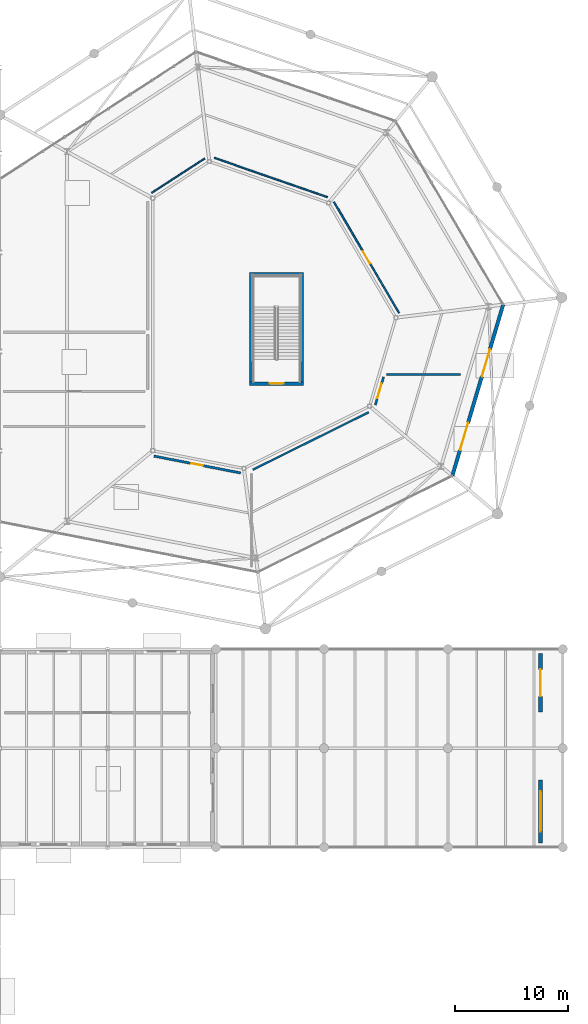
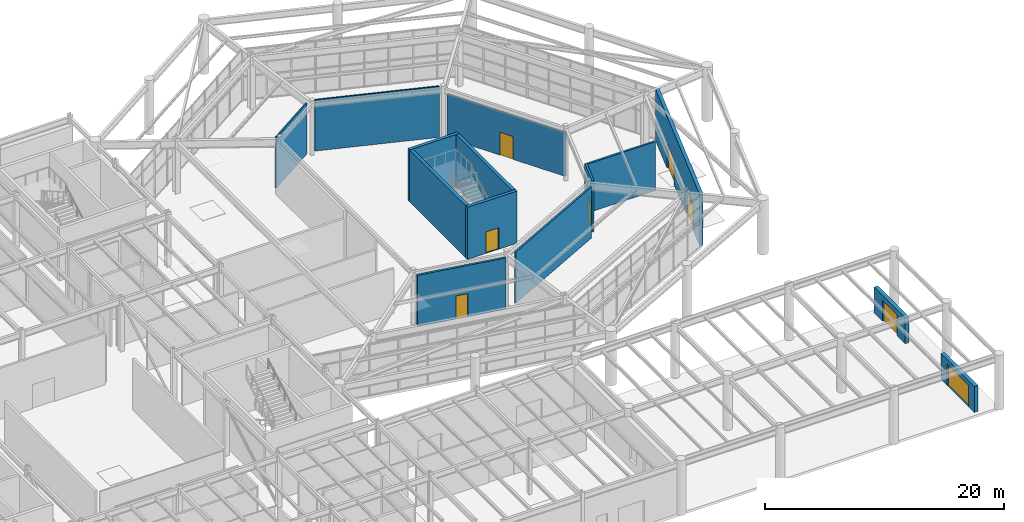
# One storey, part 53 of 70: 14 walls, 8 doors, 8 openings.
"""IFC4 building model written with IfcOpenShell, lengths in metres."""

from ifc_helpers import new_model, si_unit, direction, frame, frame_2d, origin, place, context, subcontext, project, spatial, rectangle, extrude, material, layer, layer_set, type_object, element, fill, save


model = new_model("IFC4")

# Units and contexts
model_context = context("Model", 3, precision=1e-05, world=origin(), true_north=direction((0.0, 1.0)))
body_context = subcontext(model_context, "Body", "Model", "MODEL_VIEW")
ifc_project = project(units=[si_unit("LENGTHUNIT", "METRE"), si_unit("AREAUNIT", "SQUARE_METRE"), si_unit("VOLUMEUNIT", "CUBIC_METRE"), si_unit("PLANEANGLEUNIT", "RADIAN"), si_unit("MASSUNIT", "GRAM", prefix="KILO")], contexts=[model_context])

# Site, building, storey
site_placement = place(None, origin())
site = spatial("IfcSite", under=ifc_project, at=site_placement, CompositionType="ELEMENT")
building_placement = place(site_placement, origin())
building = spatial("IfcBuilding", under=site, at=building_placement, Name="Sarnbrook Museum", CompositionType="ELEMENT")
storey_placement = place(building_placement, origin())
storey = spatial("IfcBuildingStorey", under=building, at=storey_placement, Name="L00", CompositionType="ELEMENT", Elevation=0.0)

# Wall, opening, door
ifc_material_1 = material(Name="Concrete N50 (AS 3600, f'c = 50 MPa)", Category="concrete")
ifc_layer_1 = layer(ifc_material_1, 0.300048828125)
ifc_layer_set_1 = layer_set([ifc_layer_1], Name="Concrete N50 (AS 3600, f'c = 50 MPa)")
wall_type_1 = type_object("IfcWallType", Name="CoreWall_CWRC", PredefinedType="SHEAR", material=ifc_layer_set_1)
wall_1_placement = place(storey_placement, frame((141.39990234375, 80.35009765625, 0.0), z_axis=(0.0, 0.0, 1.0), x_axis=(1.0, 0.0, 0.0)))
wall_1 = element("IfcWall", 1, at=wall_1_placement, inside=storey, type_object=wall_type_1, Name="Core C7 Shear Wall S L00", PredefinedType="SHEAR", context=body_context, shape_type="SweptSolid", body=[
    extrude(rectangle(XDim=4.800048828125, YDim=0.300048828125, at=frame_2d((2.39990234375, 0.0))), origin(), (0.0, 0.0, 1.0), 5.3349609375),
])
opening_1_placement = place(wall_1_placement, frame((1.77490234375, 0.0, 0.0)))
opening_1 = element("IfcOpeningElement", 2, at=opening_1_placement, cuts=wall_1, Name="Opening D-ST-ST7-L00", PredefinedType="OPENING", context=body_context, shape_type="SweptSolid", body=[
    extrude(rectangle(XDim=1.25, YDim=2.199951171875, at=frame_2d((0.625, 1.10009765625))), frame((0.0, 0.16015625, 0.0), z_axis=(0.0, -1.0, 0.0), x_axis=(1.0, 0.0, 0.0)), (0.0, 0.0, 1.0), 0.320068359375),
])
ifc_material_2 = material(Name="Tasmanian Oak Acoustic Timber", Category="wood")
door_type_1 = type_object("IfcDoorType", Name="FireDoor_FD120", OperationType="NOTDEFINED", PredefinedType="DOOR", material=ifc_material_2)
door_1_placement = place(opening_1_placement, frame((1.25, 0.0, 0.0), z_axis=(0.0, 0.0, 1.0), x_axis=(-1.0, 0.0, 0.0)))
door_1 = element("IfcDoor", 3, at=door_1_placement, inside=storey, type_object=door_type_1, Name="Exit Stair ST7 Fire Door L00", OperationType="SINGLE_SWING_LEFT", OverallHeight=2.199951171875, OverallWidth=1.25, PredefinedType="DOOR", context=body_context, shape_type="SweptSolid", body=[
    extrude(rectangle(XDim=1.25, YDim=2.199951171875, at=frame_2d((0.625, 1.10009765625))), frame((0.0, 0.02490234375, 0.0), z_axis=(0.0, -1.0, 0.0), x_axis=(1.0, 0.0, 0.0)), (0.0, 0.0, 1.0), 0.050048828125),
])
fill(opening_1, door_1)

# Walls
wall_2_placement = place(storey_placement, frame((146.199951171875, 90.050048828125, 0.0), z_axis=(0.0, 0.0, 1.0), x_axis=(-1.0, 0.0, 0.0)))
element("IfcWall", 4, at=wall_2_placement, inside=storey, type_object=wall_type_1, Name="Core C7 Shear Wall N L00", PredefinedType="SHEAR", context=body_context, shape_type="SweptSolid", body=[
    extrude(rectangle(XDim=4.800048828125, YDim=0.300048828125, at=frame_2d((2.39990234375, 0.0))), origin(), (0.0, 0.0, 1.0), 5.3349609375),
])
for number, where, z_axis, x_axis, name in (
    (5, (146.050048828125, 80.510009765625, 0.0), (0.0, 0.0, 1.0), (0.0, 1.0, 0.0), "Core C7 Shear Wall E L00"),
    (6, (141.550048828125, 89.889892578125, 0.0), (0.0, 0.0, 1.0), (0.0, -1.0, 0.0), "Core C7 Shear Wall W L00"),
):
    element("IfcWall", number, at=place(storey_placement, frame(where, z_axis=z_axis, x_axis=x_axis)), inside=storey, type_object=wall_type_1, Name=name, PredefinedType="SHEAR", context=body_context, shape_type="SweptSolid", body=[
        extrude(rectangle(XDim=9.3798828125, YDim=0.300048828125, at=frame_2d((4.68994140625, 0.0))), origin(), (0.0, 0.0, 1.0), 5.3349609375),
    ])
ifc_material_3 = material(Name="Fire-Rated Acoustic Gypsum Plasterboard")
ifc_layer_2 = layer(ifc_material_3, 0.1201171875)
ifc_layer_set_2 = layer_set([ifc_layer_2], Name="Fire-Rated Acoustic Gypsum Plasterboard")
wall_type_2 = type_object("IfcWallType", Name="PartWall_P120", PredefinedType="PARTITIONING", material=ifc_layer_set_2)
wall_3_placement = place(storey_placement, frame((137.409423828125, 100.339111328125, 0.0), z_axis=(0.0, 0.0, 1.0), x_axis=(-0.838914477988, -0.544263262238, 0.0)))
element("IfcWall", 7, at=wall_3_placement, inside=storey, type_object=wall_type_2, Name="Interior Partition Wall L00-0188", PredefinedType="PARTITIONING", context=body_context, shape_type="SweptSolid", body=[
    extrude(rectangle(XDim=5.599609375, YDim=0.1201171875, at=frame_2d((2.7998046875, 0.0))), origin(), (0.0, 0.0, 1.0), 5.22998046875),
])
ifc_layer_3 = layer(ifc_material_3, 0.135009765625)
ifc_layer_set_3 = layer_set([ifc_layer_3], Name="Fire-Rated Acoustic Gypsum Plasterboard")
wall_type_3 = type_object("IfcWallType", Name="PartWall_P135", PredefinedType="PARTITIONING", material=ifc_layer_set_3)
wall_4_placement = place(storey_placement, frame((148.309326171875, 96.90576171875, 0.0), z_axis=(0.0, 0.0, 1.0), x_axis=(-0.944672280914, 0.328015672907, 0.0)))
element("IfcWall", 8, at=wall_4_placement, inside=storey, type_object=wall_type_3, Name="Interior Partition Wall L00-0187", PredefinedType="PARTITIONING", context=body_context, shape_type="SweptSolid", body=[
    extrude(rectangle(XDim=10.6337890625, YDim=0.135009765625, at=frame_2d((5.31689453125, 0.0))), origin(), (0.0, 0.0, 1.0), 5.22998046875),
])

# Wall, opening, door
ifc_layer_4 = layer(ifc_material_3, 0.14990234375)
ifc_layer_set_4 = layer_set([ifc_layer_4], Name="Fire-Rated Acoustic Gypsum Plasterboard")
wall_type_4 = type_object("IfcWallType", Name="PartWall_P150", PredefinedType="PARTITIONING", material=ifc_layer_set_4)
wall_5_placement = place(storey_placement, frame((154.657958984375, 86.62890625, 0.0), z_axis=(0.0, 0.0, 1.0), x_axis=(-0.506044714384, 0.862507244633, 0.0)))
wall_5 = element("IfcWall", 9, at=wall_5_placement, inside=storey, type_object=wall_type_4, Name="Interior Partition Wall L00-0186", PredefinedType="PARTITIONING", context=body_context, shape_type="SweptSolid", body=[
    extrude(rectangle(XDim=11.42333984375, YDim=0.14990234375, at=frame_2d((5.711669921875, 0.0))), origin(), (0.0, 0.0, 1.0), 4.510009765625),
])
opening_2_placement = place(wall_5_placement, frame((5.081787109375, 0.0, 0.0)))
opening_2 = element("IfcOpeningElement", 10, at=opening_2_placement, cuts=wall_5, Name="Opening D-L00-061", PredefinedType="OPENING", context=body_context, shape_type="SweptSolid", body=[
    extrude(rectangle(XDim=1.260009765625, YDim=2.340087890625, at=frame_2d((0.6298828125, 1.169921875))), frame((0.0, 0.0849609375, 0.0), z_axis=(0.0, -1.0, 0.0), x_axis=(1.0, 0.0, 0.0)), (0.0, 0.0, 1.0), 0.169921875),
])
door_type_2 = type_object("IfcDoorType", Name="IntDoor_DT23", OperationType="NOTDEFINED", PredefinedType="DOOR", material=ifc_material_2)
door_2_placement = place(opening_2_placement, origin())
door_2 = element("IfcDoor", 11, at=door_2_placement, inside=storey, type_object=door_type_2, Name="Grand North-Light Atrium Foyer L00-3 Door D-L00-061", OperationType="SINGLE_SWING_LEFT", OverallHeight=2.340087890625, OverallWidth=1.260009765625, PredefinedType="DOOR", context=body_context, shape_type="SweptSolid", body=[
    extrude(rectangle(XDim=1.260009765625, YDim=2.340087890625, at=frame_2d((0.6298828125, 1.169921875))), frame((0.0, 0.02490234375, 0.0), z_axis=(0.0, -1.0, 0.0), x_axis=(1.0, 0.0, 0.0)), (0.0, 0.0, 1.0), 0.050048828125),
])
fill(opening_2, door_2)

# Walls
ifc_layer_5 = layer(ifc_material_3, 0.1650390625)
ifc_layer_set_5 = layer_set([ifc_layer_5], Name="Fire-Rated Acoustic Gypsum Plasterboard")
wall_type_5 = type_object("IfcWallType", Name="PartWall_P165", PredefinedType="PARTITIONING", material=ifc_layer_set_5)
wall_6_placement = place(storey_placement, frame((141.691650390625, 72.724853515625, 0.0), z_axis=(0.0, 0.0, 1.0), x_axis=(0.896166209214, 0.443718520532, 0.0)))
element("IfcWall", 12, at=wall_6_placement, inside=storey, type_object=wall_type_5, Name="Interior Partition Wall L00-0192", PredefinedType="PARTITIONING", context=body_context, shape_type="SweptSolid", body=[
    extrude(rectangle(XDim=11.467041015625, YDim=0.1650390625, at=frame_2d((5.7333984375, 0.0))), origin(), (0.0, 0.0, 1.0), 5.22998046875),
])
ifc_layer_6 = layer(ifc_material_3, 0.179931640625)
ifc_layer_set_6 = layer_set([ifc_layer_6], Name="Fire-Rated Acoustic Gypsum Plasterboard")
wall_type_6 = type_object("IfcWallType", Name="PartWall_P180", PredefinedType="PARTITIONING", material=ifc_layer_set_6)
wall_7_placement = place(storey_placement, frame((153.55126953125, 81.14990234375, 0.0), z_axis=(0.0, 0.0, 1.0), x_axis=(1.0, 0.0, 0.0)))
element("IfcWall", 13, at=wall_7_placement, inside=storey, type_object=wall_type_6, Name="Interior Partition Wall L00-0191", PredefinedType="PARTITIONING", context=body_context, shape_type="SweptSolid", body=[
    extrude(rectangle(XDim=6.563232421875, YDim=0.179931640625, at=frame_2d((3.28173828125, 0.0))), origin(), (0.0, 0.0, 1.0), 5.006103515625),
])

# Wall, opening, door
ifc_layer_7 = layer(ifc_material_3, 0.195068359375)
ifc_layer_set_7 = layer_set([ifc_layer_7], Name="Fire-Rated Acoustic Gypsum Plasterboard")
wall_type_7 = type_object("IfcWallType", Name="PartWall_P195", PredefinedType="PARTITIONING", material=ifc_layer_set_7)
wall_8_placement = place(storey_placement, frame((152.54931640625, 78.45556640625, 0.0), z_axis=(0.0, 0.0, 1.0), x_axis=(0.284521683071, 0.958669605163, 0.0)))
wall_8 = element("IfcWall", 14, at=wall_8_placement, inside=storey, type_object=wall_type_7, Name="Interior Partition Wall L00-0190", PredefinedType="PARTITIONING", context=body_context, shape_type="SweptSolid", body=[
    extrude(rectangle(XDim=2.608642578125, YDim=0.195068359375, at=frame_2d((1.30419921875, 0.0))), origin(), (0.0, 0.0, 1.0), 5.22998046875),
])
opening_3_placement = place(wall_8_placement, frame((0.6142578125, 0.0, 0.0)))
opening_3 = element("IfcOpeningElement", 15, at=opening_3_placement, cuts=wall_8, Name="Opening D-L00-062", PredefinedType="OPENING", context=body_context, shape_type="SweptSolid", body=[
    extrude(rectangle(XDim=1.3798828125, YDim=2.340087890625, at=frame_2d((0.68994140625, 1.169921875))), frame((0.0, 0.107421875, 0.0), z_axis=(0.0, -1.0, 0.0), x_axis=(1.0, 0.0, 0.0)), (0.0, 0.0, 1.0), 0.215087890625),
])
door_type_3 = type_object("IfcDoorType", Name="IntDoor_DT24", OperationType="NOTDEFINED", PredefinedType="DOOR", material=ifc_material_2)
door_3_placement = place(opening_3_placement, origin())
door_3 = element("IfcDoor", 16, at=door_3_placement, inside=storey, type_object=door_type_3, Name="Main Raked Lecture Auditorium L00-4 Door D-L00-062", OperationType="SINGLE_SWING_RIGHT", OverallHeight=2.340087890625, OverallWidth=1.3798828125, PredefinedType="DOOR", context=body_context, shape_type="SweptSolid", body=[
    extrude(rectangle(XDim=1.3798828125, YDim=2.340087890625, at=frame_2d((0.68994140625, 1.169921875))), frame((0.0, 0.02490234375, 0.0), z_axis=(0.0, -1.0, 0.0), x_axis=(1.0, 0.0, 0.0)), (0.0, 0.0, 1.0), 0.050048828125),
])
fill(opening_3, door_3)

ifc_layer_8 = layer(ifc_material_3, 0.2099609375)
ifc_layer_set_8 = layer_set([ifc_layer_8], Name="Fire-Rated Acoustic Gypsum Plasterboard")
wall_type_8 = type_object("IfcWallType", Name="PartWall_P210", PredefinedType="PARTITIONING", material=ifc_layer_set_8)
wall_9_placement = place(storey_placement, frame((132.902099609375, 73.9267578125, 0.0), z_axis=(0.0, 0.0, 1.0), x_axis=(0.98152920164, -0.191312378918, 0.0)))
wall_9 = element("IfcWall", 17, at=wall_9_placement, inside=storey, type_object=wall_type_8, Name="Interior Partition Wall L00-0182", PredefinedType="PARTITIONING", context=body_context, shape_type="SweptSolid", body=[
    extrude(rectangle(XDim=7.85205078125, YDim=0.2099609375, at=frame_2d((3.926025390625, 0.0))), origin(), (0.0, 0.0, 1.0), 5.22998046875),
])
opening_4_placement = place(wall_9_placement, frame((3.401123046875, 0.0, 0.0)))
opening_4 = element("IfcOpeningElement", 18, at=opening_4_placement, cuts=wall_9, Name="Opening D-L00-059", PredefinedType="OPENING", context=body_context, shape_type="SweptSolid", body=[
    extrude(rectangle(XDim=1.050048828125, YDim=2.340087890625, at=frame_2d((0.52490234375, 1.169921875))), frame((0.0, 0.114990234375, 0.0), z_axis=(0.0, -1.0, 0.0), x_axis=(1.0, 0.0, 0.0)), (0.0, 0.0, 1.0), 0.22998046875),
])
door_type_4 = type_object("IfcDoorType", Name="IntDoor_DT21", OperationType="NOTDEFINED", PredefinedType="DOOR", material=ifc_material_2)
door_4_placement = place(opening_4_placement, frame((1.050048828125, 0.0, 0.0), z_axis=(0.0, 0.0, 1.0), x_axis=(-1.0, 0.0, 0.0)))
door_4 = element("IfcDoor", 19, at=door_4_placement, inside=storey, type_object=door_type_4, Name="Fossil Megafauna Exhibition Hall L00-1 Door D-L00-059", OperationType="SINGLE_SWING_LEFT", OverallHeight=2.340087890625, OverallWidth=1.050048828125, PredefinedType="DOOR", context=body_context, shape_type="SweptSolid", body=[
    extrude(rectangle(XDim=1.050048828125, YDim=2.340087890625, at=frame_2d((0.52490234375, 1.169921875))), frame((0.0, 0.02490234375, 0.0), z_axis=(0.0, -1.0, 0.0), x_axis=(1.0, 0.0, 0.0)), (0.0, 0.0, 1.0), 0.050048828125),
])
fill(opening_4, door_4)

# Wall, openings, doors
ifc_material_4 = material(Name="Victorian Bluestone Ashlar Masonry", Category="masonry")
ifc_layer_9 = layer(ifc_material_4, 0.320068359375)
ifc_layer_set_9 = layer_set([ifc_layer_9], Name="Victorian Bluestone Ashlar Masonry")
wall_type_9 = type_object("IfcWallType", Name="Wall_LimestoneSpandrel320", PredefinedType="STANDARD", material=ifc_layer_set_9)
wall_10_placement = place(storey_placement, frame((159.394287109375, 72.172607421875, 0.0), z_axis=(0.0, 0.0, 1.0), x_axis=(0.284596961448, 0.958647260224, 0.0)))
wall_10 = element("IfcWall", 20, at=wall_10_placement, inside=storey, type_object=wall_type_9, Name="Crystal Colonnade East Entrance Wall L00", PredefinedType="STANDARD", context=body_context, shape_type="SweptSolid", body=[
    extrude(rectangle(XDim=15.851318359375, YDim=0.320068359375, at=frame_2d((7.92578125, 0.0))), origin(), (0.0, 0.0, 1.0), 5.2900390625),
])
opening_5_placement = place(wall_10_placement, frame((2.39990234375, 0.0, 0.0)))
opening_5 = element("IfcOpeningElement", 21, at=opening_5_placement, cuts=wall_10, Name="Opening ED31", PredefinedType="OPENING", context=body_context, shape_type="SweptSolid", body=[
    extrude(rectangle(XDim=2.5, YDim=2.550048828125, at=frame_2d((1.25, 1.27490234375))), frame((0.0, 0.169921875, 0.0), z_axis=(0.0, -1.0, 0.0), x_axis=(1.0, 0.0, 0.0)), (0.0, 0.0, 1.0), 0.340087890625),
])
opening_6_placement = place(wall_10_placement, frame((9.199951171875, 0.0, 0.0)))
opening_6 = element("IfcOpeningElement", 22, at=opening_6_placement, cuts=wall_10, Name="Opening ED32", PredefinedType="OPENING", context=body_context, shape_type="SweptSolid", body=[
    extrude(rectangle(XDim=2.5, YDim=2.550048828125, at=frame_2d((1.25, 1.27490234375))), frame((0.0, 0.169921875, 0.0), z_axis=(0.0, -1.0, 0.0), x_axis=(1.0, 0.0, 0.0)), (0.0, 0.0, 1.0), 0.340087890625),
])
ifc_material_5 = material(Name="Thermally Broken Anodised Aluminium 6063-T6", Category="aluminium")
door_type_5 = type_object("IfcDoorType", Name="DoorType_EDT4", OperationType="DOUBLE_DOOR_SINGLE_SWING", PredefinedType="DOOR", material=ifc_material_5)
door_5_placement = place(opening_5_placement, frame((2.5, 0.0, 0.0), z_axis=(0.0, 0.0, 1.0), x_axis=(-1.0, 0.0, 0.0)))
door_5 = element("IfcDoor", 23, at=door_5_placement, inside=storey, type_object=door_type_5, Name="Crystal Colonnade Pedestrian Final Exit Door ED31", OperationType="DOUBLE_DOOR_SINGLE_SWING", OverallHeight=2.550048828125, OverallWidth=2.5, PredefinedType="DOOR", context=body_context, shape_type="SweptSolid", body=[
    extrude(rectangle(XDim=2.5, YDim=2.550048828125, at=frame_2d((1.25, 1.27490234375))), frame((0.0, 0.02490234375, 0.0), z_axis=(0.0, -1.0, 0.0), x_axis=(1.0, 0.0, 0.0)), (0.0, 0.0, 1.0), 0.050048828125),
])
fill(opening_5, door_5)
door_6_placement = place(opening_6_placement, frame((2.5, 0.0, 0.0), z_axis=(0.0, 0.0, 1.0), x_axis=(-1.0, 0.0, 0.0)))
door_6 = element("IfcDoor", 24, at=door_6_placement, inside=storey, type_object=door_type_5, Name="Crystal Colonnade Pedestrian Final Exit Door ED32", OperationType="DOUBLE_DOOR_SINGLE_SWING", OverallHeight=2.550048828125, OverallWidth=2.5, PredefinedType="DOOR", context=body_context, shape_type="SweptSolid", body=[
    extrude(rectangle(XDim=2.5, YDim=2.550048828125, at=frame_2d((1.25, 1.27490234375))), frame((0.0, 0.02490234375, 0.0), z_axis=(0.0, -1.0, 0.0), x_axis=(1.0, 0.0, 0.0)), (0.0, 0.0, 1.0), 0.050048828125),
])
fill(opening_6, door_6)

# Wall, opening, door
ifc_material_6 = material(Name="Barrabool Sandstone Ashlar Cladding", Category="masonry")
ifc_layer_10 = layer(ifc_material_6, 0.360107421875)
ifc_layer_set_10 = layer_set([ifc_layer_10], Name="Barrabool Sandstone Ashlar Cladding")
wall_type_10 = type_object("IfcWallType", Name="Wall_SandstoneExt360", PredefinedType="SOLIDWALL", material=ifc_layer_set_10)
wall_11_placement = place(storey_placement, frame((167.199951171875, 39.60009765625, 0.0), z_axis=(0.0, 0.0, 1.0), x_axis=(0.0, 1.0, 0.0)))
wall_11 = element("IfcWall", 25, at=wall_11_placement, inside=storey, type_object=wall_type_10, Name="Forecourt Sandstone Screen Wall GW-1", PredefinedType="SOLIDWALL", context=body_context, shape_type="SweptSolid", body=[
    extrude(rectangle(XDim=5.599853515625, YDim=0.360107421875, at=frame_2d((2.7998046875, 0.0))), origin(), (0.0, 0.0, 1.0), 2.64990234375),
])
opening_7_placement = place(wall_11_placement, frame((1.0, 0.0, 0.0)))
opening_7 = element("IfcOpeningElement", 26, at=opening_7_placement, cuts=wall_11, Name="Opening GT-01", PredefinedType="OPENING", context=body_context, shape_type="SweptSolid", body=[
    extrude(rectangle(XDim=3.60009765625, YDim=2.199951171875, at=frame_2d((1.800048828125, 1.10009765625))), frame((0.0, 0.18994140625, 0.0), z_axis=(0.0, -1.0, 0.0), x_axis=(1.0, 0.0, 0.0)), (0.0, 0.0, 1.0), 0.380126953125),
])
ifc_material_7 = material(Name="Patinated Architectural Bronze")
door_type_6 = type_object("IfcDoorType", Name="GateType_GT1", OperationType="DOUBLE_DOOR_SINGLE_SWING", PredefinedType="GATE", material=ifc_material_7)
door_7_placement = place(opening_7_placement, frame((3.60009765625, 0.0, 0.0), z_axis=(0.0, 0.0, 1.0), x_axis=(-1.0, 0.0, 0.0)))
door_7 = element("IfcDoor", 27, at=door_7_placement, inside=storey, type_object=door_type_6, Name="Forecourt Courtyard Gate GT-01", OperationType="DOUBLE_DOOR_SINGLE_SWING", OverallHeight=2.199951171875, OverallWidth=3.60009765625, PredefinedType="GATE", context=body_context, shape_type="SweptSolid", body=[
    extrude(rectangle(XDim=3.60009765625, YDim=2.199951171875, at=frame_2d((1.800048828125, 1.10009765625))), frame((0.0, 0.02490234375, 0.0), z_axis=(0.0, -1.0, 0.0), x_axis=(1.0, 0.0, 0.0)), (0.0, 0.0, 1.0), 0.050048828125),
])
fill(opening_7, door_7)

wall_12_placement = place(storey_placement, frame((167.199951171875, 51.199951171875, 0.0), z_axis=(0.0, 0.0, 1.0), x_axis=(0.0, 1.0, 0.0)))
wall_12 = element("IfcWall", 28, at=wall_12_placement, inside=storey, type_object=wall_type_10, Name="Forecourt Sandstone Screen Wall GW-2", PredefinedType="SOLIDWALL", context=body_context, shape_type="SweptSolid", body=[
    extrude(rectangle(XDim=5.199951171875, YDim=0.360107421875, at=frame_2d((2.60009765625, 0.0))), origin(), (0.0, 0.0, 1.0), 2.64990234375),
])
opening_8_placement = place(wall_12_placement, frame((1.39990234375, 0.0, 0.0)))
opening_8 = element("IfcOpeningElement", 29, at=opening_8_placement, cuts=wall_12, Name="Opening GT-02", PredefinedType="OPENING", context=body_context, shape_type="SweptSolid", body=[
    extrude(rectangle(XDim=2.39990234375, YDim=2.14990234375, at=frame_2d((1.199951171875, 1.074951171875))), frame((0.0, 0.18994140625, 0.0), z_axis=(0.0, -1.0, 0.0), x_axis=(1.0, 0.0, 0.0)), (0.0, 0.0, 1.0), 0.380126953125),
])
door_type_7 = type_object("IfcDoorType", Name="GateType_GT2", OperationType="DOUBLE_DOOR_SINGLE_SWING", PredefinedType="GATE", material=ifc_material_7)
door_8_placement = place(opening_8_placement, frame((2.39990234375, 0.0, 0.0), z_axis=(0.0, 0.0, 1.0), x_axis=(-1.0, 0.0, 0.0)))
door_8 = element("IfcDoor", 30, at=door_8_placement, inside=storey, type_object=door_type_7, Name="Forecourt Courtyard Gate GT-02", OperationType="DOUBLE_DOOR_SINGLE_SWING", OverallHeight=2.14990234375, OverallWidth=2.39990234375, PredefinedType="GATE", context=body_context, shape_type="SweptSolid", body=[
    extrude(rectangle(XDim=2.39990234375, YDim=2.14990234375, at=frame_2d((1.199951171875, 1.074951171875))), frame((0.0, 0.02490234375, 0.0), z_axis=(0.0, -1.0, 0.0), x_axis=(1.0, 0.0, 0.0)), (0.0, 0.0, 1.0), 0.050048828125),
])
fill(opening_8, door_8)

save(model, "model.ifc")
